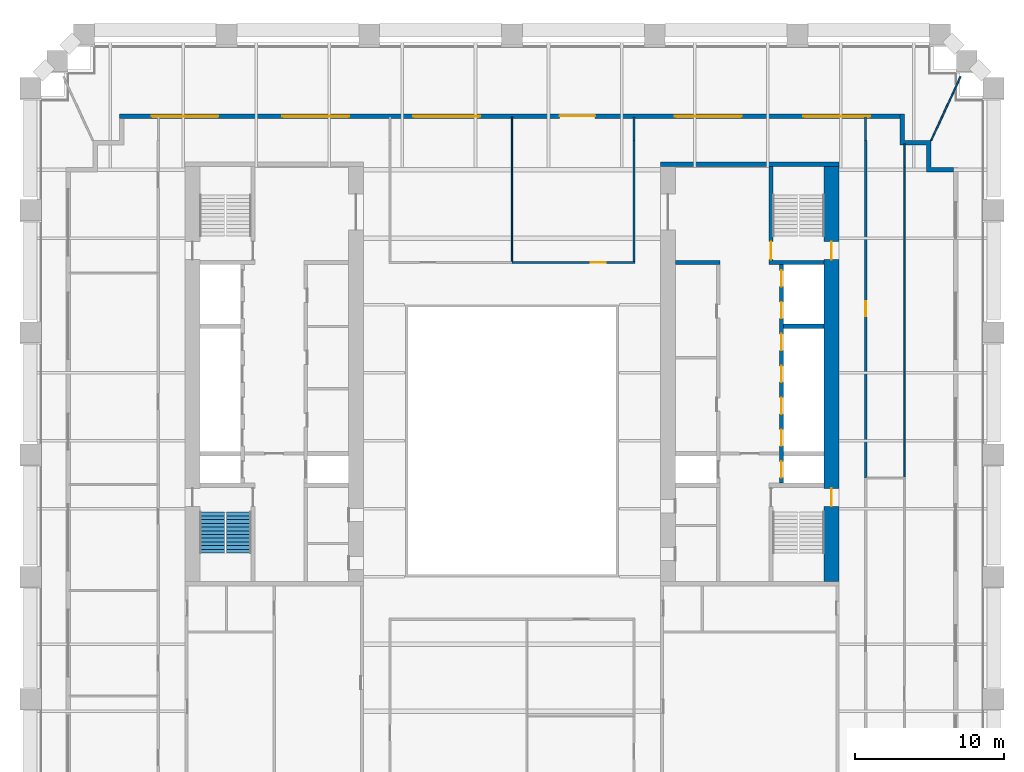
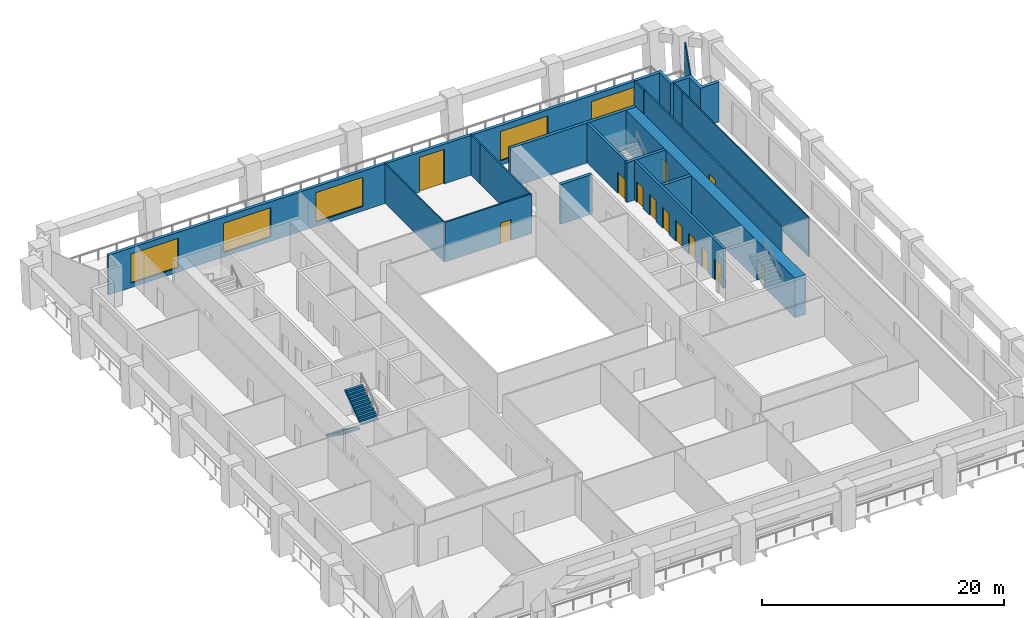
# One storey, part 7 of 10: 18 walls, 13 doors, 5 windows, 2 stair flights, 18 openings, 1 element without a shape of its own.
"""IFC4 building model written with IfcOpenShell, lengths in metres."""

import ifcopenshell
import ifcopenshell.guid

model = None  # the IFC model being written
_history = None  # IfcOwnerHistory: only IFC2X3 demands one
_inside = {}  # id of a spatial element -> (the spatial element, [elements in it])
_under = {}  # id of a project, library or spatial element -> (it, [spatial elements below it])
_declared = {}  # id of a project -> (the project, [libraries it declares])
_typed = {}  # id of a type object -> (the type object, [elements of that type])
_made_of = {}  # id of a material, layer set ... -> (it, [elements and type objects made of it])


def new_model(schema):
    """Start an empty IFC model of exactly this schema.

    Asked for "IFC4X3", IfcOpenShell would pick the latest addendum, in which some entities
    have other attributes; the version numbers below select the first issue.
    IFC2X3 requires an IfcOwnerHistory on every rooted entity: one is made here for all.
    """
    global model, _history
    if schema == "IFC4X3":
        model = ifcopenshell.file(schema_version=(4, 3, 0, 0))
    else:
        model = ifcopenshell.file(schema=schema)
    _inside.clear()
    _under.clear()
    _declared.clear()
    _typed.clear()
    _made_of.clear()
    _history = None
    if model.schema == "IFC2X3":
        org = make("IfcOrganization", Name="unknown")
        user = make(
            "IfcPersonAndOrganization",
            ThePerson=make("IfcPerson", FamilyName="unknown"),
            TheOrganization=org,
        )
        app = make(
            "IfcApplication",
            ApplicationDeveloper=org,
            Version="unknown",
            ApplicationFullName="unknown",
            ApplicationIdentifier="unknown",
        )
        _history = make(
            "IfcOwnerHistory",
            OwningUser=user,
            OwningApplication=app,
            ChangeAction="ADDED",
            CreationDate=0,
        )
    return model


def make(cls, **values):
    """One entity of the class cls with the attributes given. An attribute that is None is left unset."""
    return model.create_entity(
        cls, **{name: value for name, value in values.items() if value is not None}
    )


def rooted(cls, **values):
    """An entity with a GlobalId (a new one), such as an element, a storey or a relation."""
    return make(cls, GlobalId=ifcopenshell.guid.new(), OwnerHistory=_history, **values)


def si_unit(unit_type, name, prefix=None):
    """IfcSIUnit, for example si_unit("LENGTHUNIT", "METRE", prefix="MILLI")."""
    return make("IfcSIUnit", UnitType=unit_type, Prefix=prefix, Name=name)


def assignment(units):
    """IfcUnitAssignment: the units of a project."""
    return None if units is None else make("IfcUnitAssignment", Units=units)


def point(xyz):
    """IfcCartesianPoint."""
    return None if xyz is None else make("IfcCartesianPoint", Coordinates=xyz)


def direction(xyz):
    """IfcDirection."""
    return None if xyz is None else make("IfcDirection", DirectionRatios=xyz)


def frame(location, z_axis=None, x_axis=None):
    """IfcAxis2Placement3D, a coordinate frame: its origin and axes. An axis left out is left unset."""
    return make(
        "IfcAxis2Placement3D",
        Location=point(location),
        Axis=direction(z_axis),
        RefDirection=direction(x_axis),
    )


def frame_2d(location, x_axis=None):
    """IfcAxis2Placement2D, a coordinate frame in the plane: its origin and x axis."""
    return make(
        "IfcAxis2Placement2D", Location=point(location), RefDirection=direction(x_axis)
    )


def origin():
    """The frame at (0, 0, 0) with its axes left unset."""
    return frame((0.0, 0.0, 0.0))


def place(relative_to, where):
    """IfcLocalPlacement: puts the frame where relative to a parent placement (None: the world)."""
    return make(
        "IfcLocalPlacement", PlacementRelTo=relative_to, RelativePlacement=where
    )


def context(
    kind, dimensions, precision=None, world=None, true_north=None, identifier=None
):
    """IfcGeometricRepresentationContext, for example the 3D "Model" context."""
    return make(
        "IfcGeometricRepresentationContext",
        ContextIdentifier=identifier,
        ContextType=kind,
        CoordinateSpaceDimension=dimensions,
        Precision=precision,
        WorldCoordinateSystem=world,
        TrueNorth=true_north,
    )


def subcontext(parent, identifier, kind, view, scale=None):
    """IfcGeometricRepresentationSubContext, for example "Body" below "Model"."""
    return make(
        "IfcGeometricRepresentationSubContext",
        ContextIdentifier=identifier,
        ContextType=kind,
        ParentContext=parent,
        TargetScale=scale,
        TargetView=view,
    )


def project(units=None, contexts=None):
    """IfcProject with its units and contexts."""
    return rooted(
        "IfcProject",
        Name="project",
        RepresentationContexts=contexts,
        UnitsInContext=assignment(units),
    )


def spatial(cls, under=None, at=None, **own):
    """A site, building, storey or space (cls), placed at a placement, below another one or the project."""
    s = rooted(cls, ObjectPlacement=at, **own)
    if under is not None:
        _under.setdefault(under.id(), (under, []))[1].append(s)
    return s


def polyline(points):
    """IfcPolyline through the points."""
    return make("IfcPolyline", Points=[point(p) for p in points])


def profile(cls, at=None, kind="AREA", **sizes):
    """A parametric profile (cls). Its sizes go by their IFC names, for example OverallWidth=200.0."""
    return make(cls, ProfileType=kind, Position=at, **sizes)


def rectangle(**sizes):
    """IfcRectangleProfileDef."""
    return profile("IfcRectangleProfileDef", **sizes)


def outline(outer, holes=None, kind="AREA"):
    """IfcArbitraryClosedProfileDef: a profile drawn as a closed curve; with holes, ...WithVoids."""
    if holes is None:
        return make("IfcArbitraryClosedProfileDef", ProfileType=kind, OuterCurve=outer)
    return make(
        "IfcArbitraryProfileDefWithVoids",
        ProfileType=kind,
        OuterCurve=outer,
        InnerCurves=holes,
    )


def extrude(swept, where, along, depth):
    """IfcExtrudedAreaSolid: the profile swept, set in the frame where, extruded along a direction by depth."""
    return make(
        "IfcExtrudedAreaSolid",
        SweptArea=swept,
        Position=where,
        ExtrudedDirection=direction(along),
        Depth=depth,
    )


def shape(context_of_items, identifier, shape_type, items):
    """IfcShapeRepresentation: the items that make up one representation, for example the "Body"."""
    return make(
        "IfcShapeRepresentation",
        ContextOfItems=context_of_items,
        RepresentationIdentifier=identifier,
        RepresentationType=shape_type,
        Items=items,
    )


def material(Name=None, Category=None):
    """IfcMaterial."""
    return make("IfcMaterial", Name=Name, Category=Category)


def layer(
    of_material, thickness, ventilated=None, Name=None, Category=None, Priority=None
):
    """IfcMaterialLayer: one layer of a wall or slab, of a material (None: an air gap)."""
    return make(
        "IfcMaterialLayer",
        Material=of_material,
        LayerThickness=thickness,
        IsVentilated=ventilated,
        Name=Name,
        Category=Category,
        Priority=Priority,
    )


def layer_set(layers, Name=None):
    """IfcMaterialLayerSet."""
    return make("IfcMaterialLayerSet", MaterialLayers=layers, LayerSetName=Name)


def made_of(thing, what):
    """Note that an element or type object is made of a material, layer set ...; save() writes the relation."""
    if what is not None:
        _made_of.setdefault(what.id(), (what, []))[1].append(thing)
    return thing


def type_object(cls, material=None, **own):
    """A type object (cls), such as IfcWallType, which elements share."""
    return made_of(rooted(cls, **own), material)


def element(
    cls,
    number,
    at=None,
    inside=None,
    cuts=None,
    type_object=None,
    material=None,
    context=None,
    identifier="Body",
    shape_type=None,
    held_by="IfcProductDefinitionShape",
    body=None,
    shapes=None,
    **own,
):
    """One element of the class cls, such as IfcWall. Its Tag is "e" and its number.

    at: its placement. inside: the storey or other place that contains it. cuts: it is an
    opening in that element (IfcRelVoidsElement). A single representation is given by context,
    identifier, shape_type and body (its items); several are given by shapes. held_by: the class
    of the entity that holds the representations. save() writes the other relations.
    """
    e = rooted(cls, Tag="e%d" % number, ObjectPlacement=at, **own)
    if body is not None:
        shapes = [shape(context, identifier, shape_type, body)]
    if shapes is not None:
        e.Representation = make(held_by, Representations=shapes)
    if inside is not None:
        _inside.setdefault(inside.id(), (inside, []))[1].append(e)
    if cuts is not None:
        rooted(
            "IfcRelVoidsElement", RelatingBuildingElement=cuts, RelatedOpeningElement=e
        )
    if type_object is not None:
        _typed.setdefault(type_object.id(), (type_object, []))[1].append(e)
    return made_of(e, material)


def fill(opening, filler):
    """IfcRelFillsElement: the door or window that sits in an opening."""
    return rooted(
        "IfcRelFillsElement",
        RelatingOpeningElement=opening,
        RelatedBuildingElement=filler,
    )


def aggregate(whole, parts):
    """IfcRelAggregates: a whole, such as a stair, and the parts it consists of."""
    return rooted("IfcRelAggregates", RelatingObject=whole, RelatedObjects=parts)


def save(model, path):
    """Write the relations noted so far, then the file.

    IfcRelAggregates (storeys below a building ...), IfcRelContainedInSpatialStructure (elements
    in a storey), IfcRelDefinesByType, IfcRelAssociatesMaterial and IfcRelDeclares: one each for
    every whole, place, type object, material and project.
    """
    for whole, parts in _under.values():
        aggregate(whole, parts)
    for where, things in _inside.values():
        rooted(
            "IfcRelContainedInSpatialStructure",
            RelatedElements=things,
            RelatingStructure=where,
        )
    for kind, things in _typed.values():
        rooted("IfcRelDefinesByType", RelatedObjects=things, RelatingType=kind)
    for what, things in _made_of.values():
        rooted("IfcRelAssociatesMaterial", RelatedObjects=things, RelatingMaterial=what)
    for by, libraries in _declared.values():
        rooted("IfcRelDeclares", RelatingContext=by, RelatedDefinitions=libraries)
    model.write(path)


model = new_model("IFC4")

# Units and contexts
model_context = context("Model", 3, precision=1e-05, world=origin(), true_north=direction((0.0, 1.0)))
body_context = subcontext(model_context, "Body", "Model", "MODEL_VIEW")
ifc_project = project(units=[si_unit("LENGTHUNIT", "METRE"), si_unit("AREAUNIT", "SQUARE_METRE"), si_unit("VOLUMEUNIT", "CUBIC_METRE"), si_unit("PLANEANGLEUNIT", "RADIAN"), si_unit("MASSUNIT", "GRAM", prefix="KILO")], contexts=[model_context])

# Site, building, storey
site_placement = place(None, origin())
site = spatial("IfcSite", under=ifc_project, at=site_placement, CompositionType="ELEMENT")
building_placement = place(site_placement, origin())
building = spatial("IfcBuilding", under=site, at=building_placement, Name="Ogive Exchange Tower", CompositionType="ELEMENT")
storey_placement = place(building_placement, frame((0.0, 0.0, 64.800048828125)))
storey = spatial("IfcBuildingStorey", under=building, at=storey_placement, Name="L13", CompositionType="ELEMENT", Elevation=64.800048828125)

# Wall
ifc_material_1 = material(Name="Gypsum board partition")
ifc_layer_1 = layer(ifc_material_1, 0.300048828125)
ifc_layer_set_1 = layer_set([ifc_layer_1], Name="Core room partition 300 gypsum")
wall_type_1 = type_object("IfcWallType", Name="Core room partition 300 gypsum", PredefinedType="PARTITIONING", material=ifc_layer_set_1)
wall_1_placement = place(storey_placement, frame((11.0, 19.0, 0.0), z_axis=(0.0, 0.0, 1.0), x_axis=(1.0, 0.0, 0.0)))
element("IfcWall", 1, at=wall_1_placement, inside=storey, type_object=wall_type_1, Name="E row B room end wall 7", PredefinedType="PARTITIONING", context=body_context, shape_type="SweptSolid", body=[
    extrude(rectangle(XDim=3.0, YDim=0.300048828125, at=frame_2d((1.5, 0.0))), origin(), (0.0, 0.0, 1.0), 4.0),
])

# Wall, opening, door
ifc_material_2 = material(Name="Fire partition EI 60 150")
ifc_layer_2 = layer(ifc_material_2, 0.14990234375)
ifc_layer_set_2 = layer_set([ifc_layer_2], Name="Fire partition EI 60 150")
wall_type_2 = type_object("IfcWallType", Name="Fire partition EI 60 150", PredefinedType="PARTITIONING", material=ifc_layer_set_2)
wall_2_placement = place(storey_placement, frame((0.0, 19.0, 0.0), z_axis=(0.0, 0.0, 1.0), x_axis=(1.0, 0.0, 0.0)))
wall_2 = element("IfcWall", 2, at=wall_2_placement, inside=storey, type_object=wall_type_2, Name="L13-PWL-027", PredefinedType="PARTITIONING", context=body_context, shape_type="SweptSolid", body=[
    extrude(rectangle(XDim=8.27490234375, YDim=0.14990234375, at=frame_2d((4.137451171875, 0.0))), origin(), (0.0, 0.0, 1.0), 4.0),
])
opening_1_placement = place(wall_2_placement, frame((5.300048828125, 0.0, 0.0)))
opening_1 = element("IfcOpeningElement", 3, at=opening_1_placement, cuts=wall_2, Name="Opening L13-I10", PredefinedType="OPENING", context=body_context, shape_type="SweptSolid", body=[
    extrude(rectangle(XDim=1.0, YDim=2.10009765625, at=frame_2d((0.5, 1.050048828125))), frame((0.0, 0.0849609375, 0.0), z_axis=(0.0, -1.0, 0.0), x_axis=(1.0, 0.0, 0.0)), (0.0, 0.0, 1.0), 0.169921875),
])
ifc_material_3 = material(Name="Fire door FD 30S 1000 x 2100")
door_type_1 = type_object("IfcDoorType", Name="Fire door FD 30S 1000 x 2100", OperationType="NOTDEFINED", PredefinedType="DOOR", material=ifc_material_3)
door_1_placement = place(opening_1_placement, origin())
door_1 = element("IfcDoor", 4, at=door_1_placement, inside=storey, type_object=door_type_1, Name="L13-IDR-010", ObjectType="DT3", OperationType="SINGLE_SWING_LEFT", OverallHeight=2.10009765625, OverallWidth=1.0, PredefinedType="DOOR", context=body_context, shape_type="SweptSolid", body=[
    extrude(rectangle(XDim=1.0, YDim=2.10009765625, at=frame_2d((0.5, 1.050048828125))), frame((0.0, 0.02490234375, 0.0), z_axis=(0.0, -1.0, 0.0), x_axis=(1.0, 0.0, 0.0)), (0.0, 0.0, 1.0), 0.050048828125),
])
fill(opening_1, door_1)

# Walls
wall_3_placement = place(storey_placement, frame((8.199951171875, 19.074951171875, 0.0), z_axis=(0.0, 0.0, 1.0), x_axis=(0.0, 1.0, 0.0)))
element("IfcWall", 5, at=wall_3_placement, inside=storey, type_object=wall_type_2, Name="L13-PWL-036", PredefinedType="PARTITIONING", context=body_context, shape_type="SweptSolid", body=[
    extrude(rectangle(XDim=8.125, YDim=0.14990234375, at=frame_2d((4.0625, 0.0))), origin(), (0.0, 0.0, 1.0), 4.0),
])
for number, where, z_axis, x_axis, name in (
    (6, (8.2099609375, 27.199951171875, 0.0), (0.0, 0.0, 1.0), (0.0, 1.0, 0.0), "L13-PWL-037"),
    (7, (23.7900390625, 28.800048828125, 0.0), (0.0, 0.0, 1.0), (0.0, -1.0, 0.0), "L13-PWL-043"),
):
    element("IfcWall", number, at=place(storey_placement, frame(where, z_axis=z_axis, x_axis=x_axis)), inside=storey, type_object=wall_type_2, Name=name, PredefinedType="PARTITIONING", context=body_context, shape_type="SweptSolid", body=[
        extrude(rectangle(XDim=1.60009765625, YDim=0.14990234375, at=frame_2d((0.800048828125, 0.0))), origin(), (0.0, 0.0, 1.0), 4.0),
    ])

# Wall, opening, door
wall_4_placement = place(storey_placement, frame((23.800048828125, 27.199951171875, 0.0), z_axis=(0.0, 0.0, 1.0), x_axis=(0.0, -1.0, 0.0)))
wall_4 = element("IfcWall", 8, at=wall_4_placement, inside=storey, type_object=wall_type_2, Name="L13-PWL-047", PredefinedType="PARTITIONING", context=body_context, shape_type="SweptSolid", body=[
    extrude(rectangle(XDim=22.699951171875, YDim=0.14990234375, at=frame_2d((11.35009765625, 0.0))), origin(), (0.0, 0.0, 1.0), 4.0),
])
opening_2_placement = place(wall_4_placement, frame((10.800048828125, 0.0, 0.0)))
opening_2 = element("IfcOpeningElement", 9, at=opening_2_placement, cuts=wall_4, Name="Opening L13-I04", PredefinedType="OPENING", context=body_context, shape_type="SweptSolid", body=[
    extrude(rectangle(XDim=1.0, YDim=2.10009765625, at=frame_2d((0.5, 1.050048828125))), frame((0.0, 0.0849609375, 0.0), z_axis=(0.0, -1.0, 0.0), x_axis=(1.0, 0.0, 0.0)), (0.0, 0.0, 1.0), 0.169921875),
])
door_2_placement = place(opening_2_placement, origin())
door_2 = element("IfcDoor", 10, at=door_2_placement, inside=storey, type_object=door_type_1, Name="L13-IDR-004", ObjectType="DT3", OperationType="SINGLE_SWING_LEFT", OverallHeight=2.10009765625, OverallWidth=1.0, PredefinedType="DOOR", context=body_context, shape_type="SweptSolid", body=[
    extrude(rectangle(XDim=1.0, YDim=2.10009765625, at=frame_2d((0.5, 1.050048828125))), frame((0.0, 0.02490234375, 0.0), z_axis=(0.0, -1.0, 0.0), x_axis=(1.0, 0.0, 0.0)), (0.0, 0.0, 1.0), 0.050048828125),
])
fill(opening_2, door_2)

# Wall, openings, door, windows
ifc_material_4 = material(Name="Precast concrete C40/50", Category="concrete")
ifc_layer_3 = layer(ifc_material_4, 0.300048828125)
ifc_layer_set_3 = layer_set([ifc_layer_3], Name="Limestone-faced wall 300")
wall_type_3 = type_object("IfcWallType", Name="Limestone-faced wall 300", PredefinedType="STANDARD", material=ifc_layer_set_3)
wall_5_placement = place(storey_placement, frame((26.10009765625, 28.85009765625, 0.0), z_axis=(0.0, 0.0, 1.0), x_axis=(-1.0, 0.0, 0.0)))
wall_5 = element("IfcWall", 11, at=wall_5_placement, inside=storey, type_object=wall_type_3, Name="External wall N3", PredefinedType="STANDARD", context=body_context, shape_type="SweptSolid", body=[
    extrude(rectangle(XDim=52.5, YDim=0.300048828125, at=frame_2d((26.25, 0.0))), origin(), (0.0, 0.0, 1.0), 4.0),
])
opening_3_placement = place(wall_5_placement, frame((2.0, 0.0, 0.449951171875)))
opening_3 = element("IfcOpeningElement", 12, at=opening_3_placement, cuts=wall_5, Name="Opening W1B", PredefinedType="OPENING", context=body_context, shape_type="SweptSolid", body=[
    extrude(rectangle(XDim=4.5, YDim=2.949951171875, at=frame_2d((2.25, 1.47509765625))), frame((0.0, 0.159912109375, 0.0), z_axis=(0.0, -1.0, 0.0), x_axis=(1.0, 0.0, 0.0)), (0.0, 0.0, 1.0), 0.320068359375),
])
opening_4_placement = place(wall_5_placement, frame((10.64990234375, 0.0, 0.449951171875)))
opening_4 = element("IfcOpeningElement", 13, at=opening_4_placement, cuts=wall_5, Name="Opening W1B", PredefinedType="OPENING", context=body_context, shape_type="SweptSolid", body=[
    extrude(rectangle(XDim=4.5, YDim=2.949951171875, at=frame_2d((2.25, 1.47509765625))), frame((0.0, 0.159912109375, 0.0), z_axis=(0.0, -1.0, 0.0), x_axis=(1.0, 0.0, 0.0)), (0.0, 0.0, 1.0), 0.320068359375),
])
opening_5_placement = place(wall_5_placement, frame((20.5, 0.0, 0.0)))
opening_5 = element("IfcOpeningElement", 14, at=opening_5_placement, cuts=wall_5, Name="Opening D1", PredefinedType="OPENING", context=body_context, shape_type="SweptSolid", body=[
    extrude(rectangle(XDim=2.39990234375, YDim=3.5, at=frame_2d((1.199951171875, 1.75))), frame((0.0, 0.159912109375, 0.0), z_axis=(0.0, -1.0, 0.0), x_axis=(1.0, 0.0, 0.0)), (0.0, 0.0, 1.0), 0.320068359375),
])
opening_6_placement = place(wall_5_placement, frame((28.25, 0.0, 0.449951171875)))
opening_6 = element("IfcOpeningElement", 15, at=opening_6_placement, cuts=wall_5, Name="Opening W1B", PredefinedType="OPENING", context=body_context, shape_type="SweptSolid", body=[
    extrude(rectangle(XDim=4.5, YDim=2.949951171875, at=frame_2d((2.25, 1.47509765625))), frame((0.0, 0.159912109375, 0.0), z_axis=(0.0, -1.0, 0.0), x_axis=(1.0, 0.0, 0.0)), (0.0, 0.0, 1.0), 0.320068359375),
])
opening_7_placement = place(wall_5_placement, frame((37.050048828125, 0.0, 0.449951171875)))
opening_7 = element("IfcOpeningElement", 16, at=opening_7_placement, cuts=wall_5, Name="Opening W1B", PredefinedType="OPENING", context=body_context, shape_type="SweptSolid", body=[
    extrude(rectangle(XDim=4.5, YDim=2.949951171875, at=frame_2d((2.25, 1.47509765625))), frame((0.0, 0.159912109375, 0.0), z_axis=(0.0, -1.0, 0.0), x_axis=(1.0, 0.0, 0.0)), (0.0, 0.0, 1.0), 0.320068359375),
])
opening_8_placement = place(wall_5_placement, frame((45.85009765625, 0.0, 0.449951171875)))
opening_8 = element("IfcOpeningElement", 17, at=opening_8_placement, cuts=wall_5, Name="Opening W1B", PredefinedType="OPENING", context=body_context, shape_type="SweptSolid", body=[
    extrude(rectangle(XDim=4.5, YDim=2.949951171875, at=frame_2d((2.25, 1.47509765625))), frame((0.0, 0.159912109375, 0.0), z_axis=(0.0, -1.0, 0.0), x_axis=(1.0, 0.0, 0.0)), (0.0, 0.0, 1.0), 0.320068359375),
])
ifc_material_5 = material(Name="Clear glass in bronze frame", Category="glass")
door_type_2 = type_object("IfcDoorType", Name="Sliding loggia door 2400 x 3500", OperationType="DOUBLE_DOOR_SLIDING", PredefinedType="DOOR", material=ifc_material_5)
door_3_placement = place(opening_5_placement, origin())
door_3 = element("IfcDoor", 18, at=door_3_placement, inside=storey, type_object=door_type_2, Name="Loggia door N02", OperationType="DOUBLE_DOOR_SLIDING", OverallHeight=3.5, OverallWidth=2.39990234375, PredefinedType="DOOR", context=body_context, shape_type="SweptSolid", body=[
    extrude(rectangle(XDim=2.39990234375, YDim=3.5, at=frame_2d((1.199951171875, 1.75))), frame((0.0, 0.02490234375, 0.0), z_axis=(0.0, -1.0, 0.0), x_axis=(1.0, 0.0, 0.0)), (0.0, 0.0, 1.0), 0.050048828125),
])
fill(opening_5, door_3)
window_type = type_object("IfcWindowType", Name="Twin lancet window 4500 x 2950", PartitioningType="DOUBLE_PANEL_VERTICAL", PredefinedType="WINDOW", material=ifc_material_5)
window_1_placement = place(opening_3_placement, origin())
window_1 = element("IfcWindow", 19, at=window_1_placement, inside=storey, type_object=window_type, Name="Window N00", OverallHeight=2.949951171875, OverallWidth=4.5, PartitioningType="DOUBLE_PANEL_VERTICAL", PredefinedType="WINDOW", context=body_context, shape_type="SweptSolid", body=[
    extrude(rectangle(XDim=4.5, YDim=2.949951171875, at=frame_2d((2.25, 1.47509765625))), frame((0.0, 0.030029296875, 0.0), z_axis=(0.0, -1.0, 0.0), x_axis=(1.0, 0.0, 0.0)), (0.0, 0.0, 1.0), 0.06005859375),
])
fill(opening_3, window_1)
window_2_placement = place(opening_4_placement, origin())
window_2 = element("IfcWindow", 20, at=window_2_placement, inside=storey, type_object=window_type, Name="Window N01", OverallHeight=2.949951171875, OverallWidth=4.5, PartitioningType="DOUBLE_PANEL_VERTICAL", PredefinedType="WINDOW", context=body_context, shape_type="SweptSolid", body=[
    extrude(rectangle(XDim=4.5, YDim=2.949951171875, at=frame_2d((2.25, 1.47509765625))), frame((0.0, 0.030029296875, 0.0), z_axis=(0.0, -1.0, 0.0), x_axis=(1.0, 0.0, 0.0)), (0.0, 0.0, 1.0), 0.06005859375),
])
fill(opening_4, window_2)
window_3_placement = place(opening_6_placement, origin())
window_3 = element("IfcWindow", 21, at=window_3_placement, inside=storey, type_object=window_type, Name="Window N03", OverallHeight=2.949951171875, OverallWidth=4.5, PartitioningType="DOUBLE_PANEL_VERTICAL", PredefinedType="WINDOW", context=body_context, shape_type="SweptSolid", body=[
    extrude(rectangle(XDim=4.5, YDim=2.949951171875, at=frame_2d((2.25, 1.47509765625))), frame((0.0, 0.030029296875, 0.0), z_axis=(0.0, -1.0, 0.0), x_axis=(1.0, 0.0, 0.0)), (0.0, 0.0, 1.0), 0.06005859375),
])
fill(opening_6, window_3)
window_4_placement = place(opening_7_placement, origin())
window_4 = element("IfcWindow", 22, at=window_4_placement, inside=storey, type_object=window_type, Name="Window N04", OverallHeight=2.949951171875, OverallWidth=4.5, PartitioningType="DOUBLE_PANEL_VERTICAL", PredefinedType="WINDOW", context=body_context, shape_type="SweptSolid", body=[
    extrude(rectangle(XDim=4.5, YDim=2.949951171875, at=frame_2d((2.25, 1.47509765625))), frame((0.0, 0.030029296875, 0.0), z_axis=(0.0, -1.0, 0.0), x_axis=(1.0, 0.0, 0.0)), (0.0, 0.0, 1.0), 0.06005859375),
])
fill(opening_7, window_4)
window_5_placement = place(opening_8_placement, origin())
window_5 = element("IfcWindow", 23, at=window_5_placement, inside=storey, type_object=window_type, Name="Window N05", OverallHeight=2.949951171875, OverallWidth=4.5, PartitioningType="DOUBLE_PANEL_VERTICAL", PredefinedType="WINDOW", context=body_context, shape_type="SweptSolid", body=[
    extrude(rectangle(XDim=4.5, YDim=2.949951171875, at=frame_2d((2.25, 1.47509765625))), frame((0.0, 0.030029296875, 0.0), z_axis=(0.0, -1.0, 0.0), x_axis=(1.0, 0.0, 0.0)), (0.0, 0.0, 1.0), 0.06005859375),
])
fill(opening_8, window_5)

# Walls
wall_6_placement = place(storey_placement, origin())
element("IfcWall", 24, at=wall_6_placement, inside=storey, type_object=wall_type_3, Name="External corner wall C2", PredefinedType="STANDARD", context=body_context, shape_type="SweptSolid", body=[
    extrude(outline(polyline([(27.89990234375, 26.89990234375), (26.10009765625, 26.89990234375), (26.10009765625, 29.0), (26.39990234375, 29.0), (26.39990234375, 27.199951171875), (28.199951171875, 27.199951171875), (28.199951171875, 25.39990234375), (29.699951171875, 25.39990234375), (29.699951171875, 25.10009765625), (27.89990234375, 25.10009765625), (27.89990234375, 26.89990234375)])), origin(), (0.0, 0.0, 1.0), 4.0),
])
ifc_material_6 = material(Name="Laminated safety glass in steel frame", Category="steel")
ifc_layer_4 = layer(ifc_material_6, 0.10009765625)
ifc_layer_set_4 = layer_set([ifc_layer_4], Name="Loggia end screen 100")
wall_type_4 = type_object("IfcWallType", Name="Loggia end screen 100", PredefinedType="STANDARD", material=ifc_layer_set_4)
wall_7_placement = place(storey_placement, frame((28.199951171875, 27.199951171875, -0.050048828125), z_axis=(0.0, 0.0, 1.0), x_axis=(0.416654710493, 0.909064822894, 0.0)))
element("IfcWall", 25, at=wall_7_placement, inside=storey, type_object=wall_type_4, Name="Loggia end screen C2", PredefinedType="STANDARD", context=body_context, shape_type="SweptSolid", body=[
    extrude(rectangle(XDim=4.750244140625, YDim=0.10009765625, at=frame_2d((2.375, 0.0))), origin(), (0.0, 0.0, 1.0), 4.050048828125),
])
ifc_material_7 = material(Name="Partition 100 gypsum")
ifc_layer_5 = layer(ifc_material_7, 0.10009765625)
ifc_layer_set_5 = layer_set([ifc_layer_5], Name="Partition 100 gypsum")
wall_type_5 = type_object("IfcWallType", Name="Partition 100 gypsum", PredefinedType="PARTITIONING", material=ifc_layer_set_5)
wall_8_placement = place(storey_placement, frame((0.0, 19.074951171875, 0.0), z_axis=(0.0, 0.0, 1.0), x_axis=(0.0, 1.0, 0.0)))
element("IfcWall", 26, at=wall_8_placement, inside=storey, type_object=wall_type_5, Name="L13-PWL-026", PredefinedType="PARTITIONING", context=body_context, shape_type="SweptSolid", body=[
    extrude(rectangle(XDim=9.72509765625, YDim=0.10009765625, at=frame_2d((4.862548828125, 0.0))), origin(), (0.0, 0.0, 1.0), 4.0),
])
wall_9_placement = place(storey_placement, frame((26.39990234375, 4.550048828125, 0.0), z_axis=(0.0, 0.0, 1.0), x_axis=(0.0, 1.0, 0.0)))
element("IfcWall", 27, at=wall_9_placement, inside=storey, type_object=wall_type_5, Name="L13-PWL-049", PredefinedType="PARTITIONING", context=body_context, shape_type="SweptSolid", body=[
    extrude(rectangle(XDim=20.85986328125, YDim=0.10009765625, at=frame_2d((10.429931640625, 0.0))), origin(), (0.0, 0.0, 1.0), 4.0),
])
wall_10_placement = place(storey_placement, frame((26.409912109375, 25.409912109375, 0.0), z_axis=(0.0, 0.0, 1.0), x_axis=(0.0, 1.0, 0.0)))
element("IfcWall", 28, at=wall_10_placement, inside=storey, type_object=wall_type_5, Name="L13-PWL-051", PredefinedType="PARTITIONING", context=body_context, shape_type="SweptSolid", body=[
    extrude(rectangle(XDim=1.590087890625, YDim=0.10009765625, at=frame_2d((0.794921875, 0.0))), origin(), (0.0, 0.0, 1.0), 4.0),
])

# Wall, openings, doors
ifc_material_8 = material(Name="Concrete C70/85", Category="concrete")
ifc_layer_6 = layer(ifc_material_8, 1.0)
ifc_layer_set_6 = layer_set([ifc_layer_6], Name="RC core wall 1000 C70/85")
wall_type_6 = type_object("IfcWallType", Name="RC core wall 1000 C70/85", PredefinedType="SHEAR", material=ifc_layer_set_6)
wall_11_placement = place(storey_placement, frame((21.5, -2.449951171875, 0.0), z_axis=(0.0, 0.0, 1.0), x_axis=(0.0, 1.0, 0.0)))
wall_11 = element("IfcWall", 29, at=wall_11_placement, inside=storey, type_object=wall_type_6, Name="E outer wall", PredefinedType="SHEAR", context=body_context, shape_type="SweptSolid", body=[
    extrude(rectangle(XDim=27.89990234375, YDim=1.0, at=frame_2d((13.949951171875, 0.0))), origin(), (0.0, 0.0, 1.0), 4.0),
])
opening_9_placement = place(wall_11_placement, frame((5.050048828125, 0.0, 0.0)))
opening_9 = element("IfcOpeningElement", 30, at=opening_9_placement, cuts=wall_11, Name="Opening L13-C37", PredefinedType="OPENING", context=body_context, shape_type="SweptSolid", body=[
    extrude(rectangle(XDim=1.199951171875, YDim=2.10009765625, at=frame_2d((0.60009765625, 1.050048828125))), frame((0.0, 0.510009765625, 0.0), z_axis=(0.0, -1.0, 0.0), x_axis=(1.0, 0.0, 0.0)), (0.0, 0.0, 1.0), 1.02001953125),
])
opening_10_placement = place(wall_11_placement, frame((21.64990234375, 0.0, 0.0)))
opening_10 = element("IfcOpeningElement", 31, at=opening_10_placement, cuts=wall_11, Name="Opening L13-C39", PredefinedType="OPENING", context=body_context, shape_type="SweptSolid", body=[
    extrude(rectangle(XDim=1.199951171875, YDim=2.10009765625, at=frame_2d((0.60009765625, 1.050048828125))), frame((0.0, 0.510009765625, 0.0), z_axis=(0.0, -1.0, 0.0), x_axis=(1.0, 0.0, 0.0)), (0.0, 0.0, 1.0), 1.02001953125),
])
ifc_material_9 = material(Name="Steel fire door", Category="steel")
door_type_3 = type_object("IfcDoorType", Name="Stair door FD90 1200 x 2100", OperationType="NOTDEFINED", PredefinedType="DOOR", material=ifc_material_9)
door_4_placement = place(opening_9_placement, origin())
door_4 = element("IfcDoor", 32, at=door_4_placement, inside=storey, type_object=door_type_3, Name="Stair door", ObjectType="CD5", OperationType="SINGLE_SWING_LEFT", OverallHeight=2.10009765625, OverallWidth=1.199951171875, PredefinedType="DOOR", context=body_context, shape_type="SweptSolid", body=[
    extrude(rectangle(XDim=1.199951171875, YDim=2.10009765625, at=frame_2d((0.60009765625, 1.050048828125))), frame((0.0, 0.02490234375, 0.0), z_axis=(0.0, -1.0, 0.0), x_axis=(1.0, 0.0, 0.0)), (0.0, 0.0, 1.0), 0.050048828125),
])
fill(opening_9, door_4)
door_5_placement = place(opening_10_placement, origin())
door_5 = element("IfcDoor", 33, at=door_5_placement, inside=storey, type_object=door_type_3, Name="Stair door", ObjectType="CD5", OperationType="SINGLE_SWING_RIGHT", OverallHeight=2.10009765625, OverallWidth=1.199951171875, PredefinedType="DOOR", context=body_context, shape_type="SweptSolid", body=[
    extrude(rectangle(XDim=1.199951171875, YDim=2.10009765625, at=frame_2d((0.60009765625, 1.050048828125))), frame((0.0, 0.02490234375, 0.0), z_axis=(0.0, -1.0, 0.0), x_axis=(1.0, 0.0, 0.0)), (0.0, 0.0, 1.0), 0.050048828125),
])
fill(opening_10, door_5)

# Wall, opening, door
ifc_layer_7 = layer(ifc_material_8, 0.25)
ifc_layer_set_7 = layer_set([ifc_layer_7], Name="RC core wall 250 C70/85")
wall_type_7 = type_object("IfcWallType", Name="RC core wall 250 C70/85", PredefinedType="SHEAR", material=ifc_layer_set_7)
wall_12_placement = place(storey_placement, frame((17.425048828125, 19.14990234375, 0.0), z_axis=(0.0, 0.0, 1.0), x_axis=(0.0, 1.0, 0.0)))
wall_12 = element("IfcWall", 34, at=wall_12_placement, inside=storey, type_object=wall_type_7, Name="E stair N front wall", PredefinedType="SHEAR", context=body_context, shape_type="SweptSolid", body=[
    extrude(rectangle(XDim=6.300048828125, YDim=0.25, at=frame_2d((3.14990234375, 0.0))), origin(), (0.0, 0.0, 1.0), 4.0),
])
opening_11_placement = place(wall_12_placement, frame((0.050048828125, 0.0, 0.0)))
opening_11 = element("IfcOpeningElement", 35, at=opening_11_placement, cuts=wall_12, Name="Opening L13-C38", PredefinedType="OPENING", context=body_context, shape_type="SweptSolid", body=[
    extrude(rectangle(XDim=1.199951171875, YDim=2.10009765625, at=frame_2d((0.60009765625, 1.050048828125))), frame((0.0, 0.135009765625, 0.0), z_axis=(0.0, -1.0, 0.0), x_axis=(1.0, 0.0, 0.0)), (0.0, 0.0, 1.0), 0.27001953125),
])
door_6_placement = place(opening_11_placement, frame((1.199951171875, 0.0, 0.0), z_axis=(0.0, 0.0, 1.0), x_axis=(-1.0, 0.0, 0.0)))
door_6 = element("IfcDoor", 36, at=door_6_placement, inside=storey, type_object=door_type_3, Name="Stair door", ObjectType="CD5", OperationType="SINGLE_SWING_LEFT", OverallHeight=2.10009765625, OverallWidth=1.199951171875, PredefinedType="DOOR", context=body_context, shape_type="SweptSolid", body=[
    extrude(rectangle(XDim=1.199951171875, YDim=2.10009765625, at=frame_2d((0.60009765625, 1.050048828125))), frame((0.0, 0.02490234375, 0.0), z_axis=(0.0, -1.0, 0.0), x_axis=(1.0, 0.0, 0.0)), (0.0, 0.0, 1.0), 0.050048828125),
])
fill(opening_11, door_6)

# Wall, openings, doors
wall_13_placement = place(storey_placement, frame((18.125, 4.14990234375, 0.0), z_axis=(0.0, 0.0, 1.0), x_axis=(0.0, 1.0, 0.0)))
wall_13 = element("IfcWall", 37, at=wall_13_placement, inside=storey, type_object=wall_type_7, Name="E row A front wall", PredefinedType="SHEAR", context=body_context, shape_type="SweptSolid", body=[
    extrude(rectangle(XDim=14.7001953125, YDim=0.25, at=frame_2d((7.35009765625, 0.0))), origin(), (0.0, 0.0, 1.0), 4.0),
])
opening_12_placement = place(wall_13_placement, frame((0.371337890625, 0.0, 0.0)))
opening_12 = element("IfcOpeningElement", 38, at=opening_12_placement, cuts=wall_13, Name="Opening L13-C24", PredefinedType="OPENING", context=body_context, shape_type="SweptSolid", body=[
    extrude(rectangle(XDim=1.10009765625, YDim=2.10009765625, at=frame_2d((0.550048828125, 1.050048828125))), frame((0.0, 0.135009765625, 0.0), z_axis=(0.0, -1.0, 0.0), x_axis=(1.0, 0.0, 0.0)), (0.0, 0.0, 1.0), 0.27001953125),
])
opening_13_placement = place(wall_13_placement, frame((2.514404296875, 0.0, 0.0)))
opening_13 = element("IfcOpeningElement", 39, at=opening_13_placement, cuts=wall_13, Name="Opening L13-C25", PredefinedType="OPENING", context=body_context, shape_type="SweptSolid", body=[
    extrude(rectangle(XDim=1.10009765625, YDim=2.10009765625, at=frame_2d((0.550048828125, 1.050048828125))), frame((0.0, 0.135009765625, 0.0), z_axis=(0.0, -1.0, 0.0), x_axis=(1.0, 0.0, 0.0)), (0.0, 0.0, 1.0), 0.27001953125),
])
opening_14_placement = place(wall_13_placement, frame((4.656982421875, 0.0, 0.0)))
opening_14 = element("IfcOpeningElement", 40, at=opening_14_placement, cuts=wall_13, Name="Opening L13-C26", PredefinedType="OPENING", context=body_context, shape_type="SweptSolid", body=[
    extrude(rectangle(XDim=1.10009765625, YDim=2.10009765625, at=frame_2d((0.550048828125, 1.050048828125))), frame((0.0, 0.135009765625, 0.0), z_axis=(0.0, -1.0, 0.0), x_axis=(1.0, 0.0, 0.0)), (0.0, 0.0, 1.0), 0.27001953125),
])
opening_15_placement = place(wall_13_placement, frame((6.800048828125, 0.0, 0.0)))
opening_15 = element("IfcOpeningElement", 41, at=opening_15_placement, cuts=wall_13, Name="Opening L13-C27", PredefinedType="OPENING", context=body_context, shape_type="SweptSolid", body=[
    extrude(rectangle(XDim=1.10009765625, YDim=2.10009765625, at=frame_2d((0.550048828125, 1.050048828125))), frame((0.0, 0.135009765625, 0.0), z_axis=(0.0, -1.0, 0.0), x_axis=(1.0, 0.0, 0.0)), (0.0, 0.0, 1.0), 0.27001953125),
])
opening_16_placement = place(wall_13_placement, frame((8.94287109375, 0.0, 0.0)))
opening_16 = element("IfcOpeningElement", 42, at=opening_16_placement, cuts=wall_13, Name="Opening L13-C28", PredefinedType="OPENING", context=body_context, shape_type="SweptSolid", body=[
    extrude(rectangle(XDim=1.10009765625, YDim=2.10009765625, at=frame_2d((0.550048828125, 1.050048828125))), frame((0.0, 0.135009765625, 0.0), z_axis=(0.0, -1.0, 0.0), x_axis=(1.0, 0.0, 0.0)), (0.0, 0.0, 1.0), 0.27001953125),
])
opening_17_placement = place(wall_13_placement, frame((11.085693359375, 0.0, 0.0)))
opening_17 = element("IfcOpeningElement", 43, at=opening_17_placement, cuts=wall_13, Name="Opening L13-C29", PredefinedType="OPENING", context=body_context, shape_type="SweptSolid", body=[
    extrude(rectangle(XDim=1.10009765625, YDim=2.10009765625, at=frame_2d((0.550048828125, 1.050048828125))), frame((0.0, 0.135009765625, 0.0), z_axis=(0.0, -1.0, 0.0), x_axis=(1.0, 0.0, 0.0)), (0.0, 0.0, 1.0), 0.27001953125),
])
opening_18_placement = place(wall_13_placement, frame((13.228515625, 0.0, 0.0)))
opening_18 = element("IfcOpeningElement", 44, at=opening_18_placement, cuts=wall_13, Name="Opening L13-C30", PredefinedType="OPENING", context=body_context, shape_type="SweptSolid", body=[
    extrude(rectangle(XDim=1.10009765625, YDim=2.10009765625, at=frame_2d((0.550048828125, 1.050048828125))), frame((0.0, 0.135009765625, 0.0), z_axis=(0.0, -1.0, 0.0), x_axis=(1.0, 0.0, 0.0)), (0.0, 0.0, 1.0), 0.27001953125),
])
ifc_material_10 = material(Name="Stainless steel", Category="steel")
door_type_4 = type_object("IfcDoorType", Name="Lift landing door FD90 1100 x 2100", OperationType="SLIDING_TO_LEFT", PredefinedType="DOOR", material=ifc_material_10)
door_7_placement = place(opening_12_placement, origin())
door_7 = element("IfcDoor", 45, at=door_7_placement, inside=storey, type_object=door_type_4, Name="Lift landing door FF2", ObjectType="LD", OperationType="SLIDING_TO_LEFT", OverallHeight=2.10009765625, OverallWidth=1.10009765625, PredefinedType="DOOR", context=body_context, shape_type="SweptSolid", body=[
    extrude(rectangle(XDim=1.10009765625, YDim=2.10009765625, at=frame_2d((0.550048828125, 1.050048828125))), frame((0.0, 0.02490234375, 0.0), z_axis=(0.0, -1.0, 0.0), x_axis=(1.0, 0.0, 0.0)), (0.0, 0.0, 1.0), 0.050048828125),
])
fill(opening_12, door_7)
door_8_placement = place(opening_13_placement, origin())
door_8 = element("IfcDoor", 46, at=door_8_placement, inside=storey, type_object=door_type_4, Name="Lift landing door E-L1", ObjectType="LD", OperationType="SLIDING_TO_LEFT", OverallHeight=2.10009765625, OverallWidth=1.10009765625, PredefinedType="DOOR", context=body_context, shape_type="SweptSolid", body=[
    extrude(rectangle(XDim=1.10009765625, YDim=2.10009765625, at=frame_2d((0.550048828125, 1.050048828125))), frame((0.0, 0.02490234375, 0.0), z_axis=(0.0, -1.0, 0.0), x_axis=(1.0, 0.0, 0.0)), (0.0, 0.0, 1.0), 0.050048828125),
])
fill(opening_13, door_8)
door_9_placement = place(opening_14_placement, origin())
door_9 = element("IfcDoor", 47, at=door_9_placement, inside=storey, type_object=door_type_4, Name="Lift landing door E-L2", ObjectType="LD", OperationType="SLIDING_TO_LEFT", OverallHeight=2.10009765625, OverallWidth=1.10009765625, PredefinedType="DOOR", context=body_context, shape_type="SweptSolid", body=[
    extrude(rectangle(XDim=1.10009765625, YDim=2.10009765625, at=frame_2d((0.550048828125, 1.050048828125))), frame((0.0, 0.02490234375, 0.0), z_axis=(0.0, -1.0, 0.0), x_axis=(1.0, 0.0, 0.0)), (0.0, 0.0, 1.0), 0.050048828125),
])
fill(opening_14, door_9)
door_10_placement = place(opening_15_placement, origin())
door_10 = element("IfcDoor", 48, at=door_10_placement, inside=storey, type_object=door_type_4, Name="Lift landing door E-L3", ObjectType="LD", OperationType="SLIDING_TO_LEFT", OverallHeight=2.10009765625, OverallWidth=1.10009765625, PredefinedType="DOOR", context=body_context, shape_type="SweptSolid", body=[
    extrude(rectangle(XDim=1.10009765625, YDim=2.10009765625, at=frame_2d((0.550048828125, 1.050048828125))), frame((0.0, 0.02490234375, 0.0), z_axis=(0.0, -1.0, 0.0), x_axis=(1.0, 0.0, 0.0)), (0.0, 0.0, 1.0), 0.050048828125),
])
fill(opening_15, door_10)
door_11_placement = place(opening_16_placement, origin())
door_11 = element("IfcDoor", 49, at=door_11_placement, inside=storey, type_object=door_type_4, Name="Lift landing door E-L4", ObjectType="LD", OperationType="SLIDING_TO_LEFT", OverallHeight=2.10009765625, OverallWidth=1.10009765625, PredefinedType="DOOR", context=body_context, shape_type="SweptSolid", body=[
    extrude(rectangle(XDim=1.10009765625, YDim=2.10009765625, at=frame_2d((0.550048828125, 1.050048828125))), frame((0.0, 0.02490234375, 0.0), z_axis=(0.0, -1.0, 0.0), x_axis=(1.0, 0.0, 0.0)), (0.0, 0.0, 1.0), 0.050048828125),
])
fill(opening_16, door_11)
door_12_placement = place(opening_17_placement, origin())
door_12 = element("IfcDoor", 50, at=door_12_placement, inside=storey, type_object=door_type_4, Name="Lift landing door E-SH1", ObjectType="LD", OperationType="SLIDING_TO_LEFT", OverallHeight=2.10009765625, OverallWidth=1.10009765625, PredefinedType="DOOR", context=body_context, shape_type="SweptSolid", body=[
    extrude(rectangle(XDim=1.10009765625, YDim=2.10009765625, at=frame_2d((0.550048828125, 1.050048828125))), frame((0.0, 0.02490234375, 0.0), z_axis=(0.0, -1.0, 0.0), x_axis=(1.0, 0.0, 0.0)), (0.0, 0.0, 1.0), 0.050048828125),
])
fill(opening_17, door_12)
door_13_placement = place(opening_18_placement, origin())
door_13 = element("IfcDoor", 51, at=door_13_placement, inside=storey, type_object=door_type_4, Name="Lift landing door E-SH2", ObjectType="LD", OperationType="SLIDING_TO_LEFT", OverallHeight=2.10009765625, OverallWidth=1.10009765625, PredefinedType="DOOR", context=body_context, shape_type="SweptSolid", body=[
    extrude(rectangle(XDim=1.10009765625, YDim=2.10009765625, at=frame_2d((0.550048828125, 1.050048828125))), frame((0.0, 0.02490234375, 0.0), z_axis=(0.0, -1.0, 0.0), x_axis=(1.0, 0.0, 0.0)), (0.0, 0.0, 1.0), 0.050048828125),
])
fill(opening_18, door_13)

# Walls
ifc_layer_8 = layer(ifc_material_8, 0.300048828125)
ifc_layer_set_8 = layer_set([ifc_layer_8], Name="RC core wall 300 C70/85")
wall_type_8 = type_object("IfcWallType", Name="RC core wall 300 C70/85", PredefinedType="SHEAR", material=ifc_layer_set_8)
wall_14_placement = place(storey_placement, frame((10.0, 25.60009765625, 0.0), z_axis=(0.0, 0.0, 1.0), x_axis=(1.0, 0.0, 0.0)))
element("IfcWall", 52, at=wall_14_placement, inside=storey, type_object=wall_type_8, Name="E north end wall", PredefinedType="SHEAR", context=body_context, shape_type="SweptSolid", body=[
    extrude(rectangle(XDim=12.0, YDim=0.300048828125, at=frame_2d((6.0, 0.0))), origin(), (0.0, 0.0, 1.0), 4.0),
])
wall_15_placement = place(storey_placement, frame((17.300048828125, 19.0, 0.0), z_axis=(0.0, 0.0, 1.0), x_axis=(1.0, 0.0, 0.0)))
element("IfcWall", 53, at=wall_15_placement, inside=storey, type_object=wall_type_8, Name="E stair N south wall", PredefinedType="SHEAR", context=body_context, shape_type="SweptSolid", body=[
    extrude(rectangle(XDim=3.699951171875, YDim=0.300048828125, at=frame_2d((1.85009765625, 0.0))), origin(), (0.0, 0.0, 1.0), 4.0),
])
wall_16_placement = place(storey_placement, frame((18.25, 14.71435546875, 0.0), z_axis=(0.0, 0.0, 1.0), x_axis=(1.0, 0.0, 0.0)))
element("IfcWall", 54, at=wall_16_placement, inside=storey, type_object=wall_type_8, Name="E row A divider 5", PredefinedType="SHEAR", context=body_context, shape_type="SweptSolid", body=[
    extrude(rectangle(XDim=2.75, YDim=0.300048828125, at=frame_2d((1.375, 0.0))), origin(), (0.0, 0.0, 1.0), 4.0),
])

# Stair, stair flights
ifc_material_11 = material(Name="Concrete C40/50", Category="concrete")
stair_type = type_object("IfcStairType", Name="Exit stair 1650 wide", PredefinedType="HALF_TURN_STAIR", material=ifc_material_11)
stair_placement = place(storey_placement, origin())
stair = element("IfcStair", 55, at=stair_placement, inside=storey, type_object=stair_type, Name="L13 exit stair ST1", PredefinedType="HALF_TURN_STAIR")
stair_flight_type = type_object("IfcStairFlightType", Name="Stair flight 1650 wide", PredefinedType="STRAIGHT", material=ifc_material_11)
stair_flight_1_placement = place(storey_placement, frame((-20.175048828125, 2.199951171875, 0.0), z_axis=(0.0, 0.0, 1.0), x_axis=(0.0, -1.0, 0.0)))
stair_flight_1 = element("IfcStairFlight", 56, at=stair_flight_1_placement, type_object=stair_flight_type, Name="ST1 flight 1", NumberOfRisers=12, NumberOfTreads=11, PredefinedType="STRAIGHT", RiserHeight=0.175, TreadLength=0.25, context=body_context, shape_type="SweptSolid", body=[
    extrude(outline(polyline([(0.0, 0.0), (0.0, 0.175048828125), (0.25, 0.175048828125), (0.25, 0.35009765625), (0.5, 0.35009765625), (0.5, 0.52490234375), (0.75, 0.52490234375), (0.75, 0.699951171875), (1.0, 0.699951171875), (1.0, 0.875), (1.25, 0.875), (1.25, 1.050048828125), (1.5, 1.050048828125), (1.5, 1.22509765625), (1.75, 1.22509765625), (1.75, 1.39990234375), (2.0, 1.39990234375), (2.0, 1.574951171875), (2.25, 1.574951171875), (2.25, 1.75), (2.5, 1.75), (2.5, 1.925048828125), (2.75, 1.925048828125), (2.75, 2.10009765625), (2.75, 1.741943359375), (0.261474609375, 0.0), (0.0, 0.0)])), frame((0.0, 0.824951171875, 0.0), z_axis=(0.0, -1.0, 0.0), x_axis=(1.0, 0.0, 0.0)), (0.0, 0.0, 1.0), 1.64990234375),
])
stair_flight_2_placement = place(storey_placement, frame((-18.375, -0.550048828125, 2.099853515625), z_axis=(0.0, 0.0, 1.0), x_axis=(0.0, 1.0, 0.0)))
stair_flight_2 = element("IfcStairFlight", 57, at=stair_flight_2_placement, type_object=stair_flight_type, Name="ST1 flight 2", NumberOfRisers=12, NumberOfTreads=11, PredefinedType="STRAIGHT", RiserHeight=0.175, TreadLength=0.25, context=body_context, shape_type="SweptSolid", body=[
    extrude(outline(polyline([(0.0, 0.0), (0.0, 0.175048828125), (0.25, 0.175048828125), (0.25, 0.35009765625), (0.5, 0.35009765625), (0.5, 0.52490234375), (0.75, 0.52490234375), (0.75, 0.699951171875), (1.0, 0.699951171875), (1.0, 0.875), (1.25, 0.875), (1.25, 1.050048828125), (1.5, 1.050048828125), (1.5, 1.22509765625), (1.75, 1.22509765625), (1.75, 1.39990234375), (2.0, 1.39990234375), (2.0, 1.574951171875), (2.25, 1.574951171875), (2.25, 1.75), (2.5, 1.75), (2.5, 1.925048828125), (2.75, 1.925048828125), (2.75, 2.10009765625), (2.75, 1.741943359375), (0.261474609375, 0.0), (0.0, 0.0)])), frame((0.0, 0.824951171875, 0.0), z_axis=(0.0, -1.0, 0.0), x_axis=(1.0, 0.0, 0.0)), (0.0, 0.0, 1.0), 1.64990234375),
])
aggregate(stair, [stair_flight_1, stair_flight_2])

save(model, "model.ifc")
